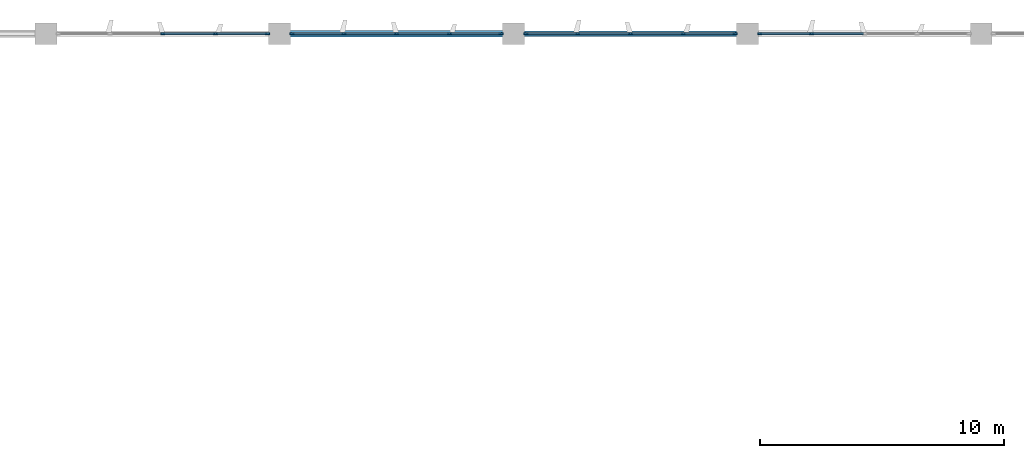
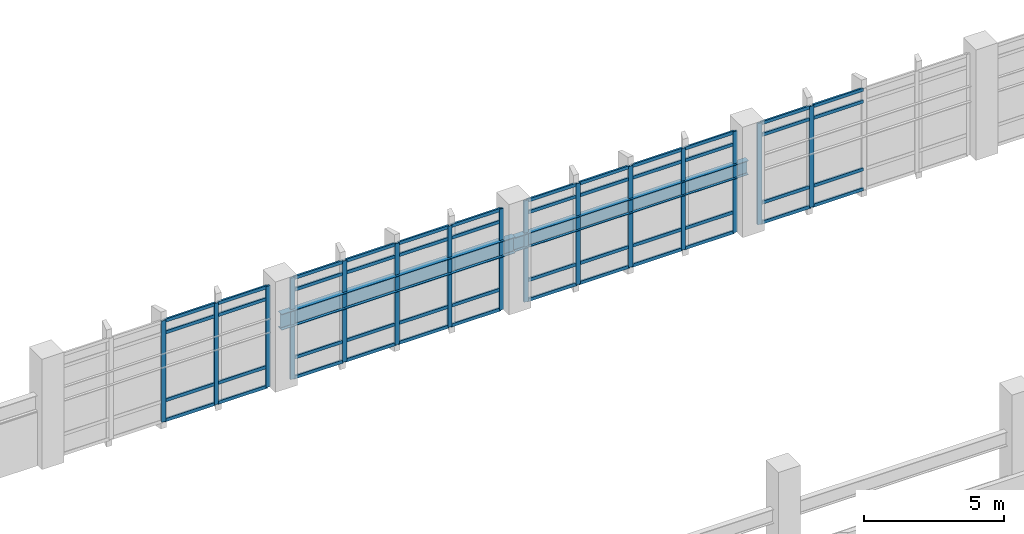
# One storey, part 26 of 86: 63 members, 2 beams, 4 elements without a shape of their own.
"""IFC4 building model written with IfcOpenShell, lengths in metres."""

import ifcopenshell
import ifcopenshell.guid

model = None  # the IFC model being written
_history = None  # IfcOwnerHistory: only IFC2X3 demands one
_inside = {}  # id of a spatial element -> (the spatial element, [elements in it])
_under = {}  # id of a project, library or spatial element -> (it, [spatial elements below it])
_declared = {}  # id of a project -> (the project, [libraries it declares])
_typed = {}  # id of a type object -> (the type object, [elements of that type])
_made_of = {}  # id of a material, layer set ... -> (it, [elements and type objects made of it])


def new_model(schema):
    """Start an empty IFC model of exactly this schema.

    Asked for "IFC4X3", IfcOpenShell would pick the latest addendum, in which some entities
    have other attributes; the version numbers below select the first issue.
    IFC2X3 requires an IfcOwnerHistory on every rooted entity: one is made here for all.
    """
    global model, _history
    if schema == "IFC4X3":
        model = ifcopenshell.file(schema_version=(4, 3, 0, 0))
    else:
        model = ifcopenshell.file(schema=schema)
    _inside.clear()
    _under.clear()
    _declared.clear()
    _typed.clear()
    _made_of.clear()
    _history = None
    if model.schema == "IFC2X3":
        org = make("IfcOrganization", Name="unknown")
        user = make(
            "IfcPersonAndOrganization",
            ThePerson=make("IfcPerson", FamilyName="unknown"),
            TheOrganization=org,
        )
        app = make(
            "IfcApplication",
            ApplicationDeveloper=org,
            Version="unknown",
            ApplicationFullName="unknown",
            ApplicationIdentifier="unknown",
        )
        _history = make(
            "IfcOwnerHistory",
            OwningUser=user,
            OwningApplication=app,
            ChangeAction="ADDED",
            CreationDate=0,
        )
    return model


def make(cls, **values):
    """One entity of the class cls with the attributes given. An attribute that is None is left unset."""
    return model.create_entity(
        cls, **{name: value for name, value in values.items() if value is not None}
    )


def rooted(cls, **values):
    """An entity with a GlobalId (a new one), such as an element, a storey or a relation."""
    return make(cls, GlobalId=ifcopenshell.guid.new(), OwnerHistory=_history, **values)


def si_unit(unit_type, name, prefix=None):
    """IfcSIUnit, for example si_unit("LENGTHUNIT", "METRE", prefix="MILLI")."""
    return make("IfcSIUnit", UnitType=unit_type, Prefix=prefix, Name=name)


def assignment(units):
    """IfcUnitAssignment: the units of a project."""
    return None if units is None else make("IfcUnitAssignment", Units=units)


def point(xyz):
    """IfcCartesianPoint."""
    return None if xyz is None else make("IfcCartesianPoint", Coordinates=xyz)


def direction(xyz):
    """IfcDirection."""
    return None if xyz is None else make("IfcDirection", DirectionRatios=xyz)


def frame(location, z_axis=None, x_axis=None):
    """IfcAxis2Placement3D, a coordinate frame: its origin and axes. An axis left out is left unset."""
    return make(
        "IfcAxis2Placement3D",
        Location=point(location),
        Axis=direction(z_axis),
        RefDirection=direction(x_axis),
    )


def frame_2d(location, x_axis=None):
    """IfcAxis2Placement2D, a coordinate frame in the plane: its origin and x axis."""
    return make(
        "IfcAxis2Placement2D", Location=point(location), RefDirection=direction(x_axis)
    )


def origin():
    """The frame at (0, 0, 0) with its axes left unset."""
    return frame((0.0, 0.0, 0.0))


def origin_2d():
    """The frame at (0, 0) in the plane with its x axis left unset."""
    return frame_2d((0.0, 0.0))


def place(relative_to, where):
    """IfcLocalPlacement: puts the frame where relative to a parent placement (None: the world)."""
    return make(
        "IfcLocalPlacement", PlacementRelTo=relative_to, RelativePlacement=where
    )


def context(
    kind, dimensions, precision=None, world=None, true_north=None, identifier=None
):
    """IfcGeometricRepresentationContext, for example the 3D "Model" context."""
    return make(
        "IfcGeometricRepresentationContext",
        ContextIdentifier=identifier,
        ContextType=kind,
        CoordinateSpaceDimension=dimensions,
        Precision=precision,
        WorldCoordinateSystem=world,
        TrueNorth=true_north,
    )


def subcontext(parent, identifier, kind, view, scale=None):
    """IfcGeometricRepresentationSubContext, for example "Body" below "Model"."""
    return make(
        "IfcGeometricRepresentationSubContext",
        ContextIdentifier=identifier,
        ContextType=kind,
        ParentContext=parent,
        TargetScale=scale,
        TargetView=view,
    )


def project(units=None, contexts=None):
    """IfcProject with its units and contexts."""
    return rooted(
        "IfcProject",
        Name="project",
        RepresentationContexts=contexts,
        UnitsInContext=assignment(units),
    )


def spatial(cls, under=None, at=None, **own):
    """A site, building, storey or space (cls), placed at a placement, below another one or the project."""
    s = rooted(cls, ObjectPlacement=at, **own)
    if under is not None:
        _under.setdefault(under.id(), (under, []))[1].append(s)
    return s


def profile(cls, at=None, kind="AREA", **sizes):
    """A parametric profile (cls). Its sizes go by their IFC names, for example OverallWidth=200.0."""
    return make(cls, ProfileType=kind, Position=at, **sizes)


def rectangle(**sizes):
    """IfcRectangleProfileDef."""
    return profile("IfcRectangleProfileDef", **sizes)


def i_section(**sizes):
    """IfcIShapeProfileDef."""
    return profile("IfcIShapeProfileDef", **sizes)


def extrude(swept, where, along, depth):
    """IfcExtrudedAreaSolid: the profile swept, set in the frame where, extruded along a direction by depth."""
    return make(
        "IfcExtrudedAreaSolid",
        SweptArea=swept,
        Position=where,
        ExtrudedDirection=direction(along),
        Depth=depth,
    )


def shape(context_of_items, identifier, shape_type, items):
    """IfcShapeRepresentation: the items that make up one representation, for example the "Body"."""
    return make(
        "IfcShapeRepresentation",
        ContextOfItems=context_of_items,
        RepresentationIdentifier=identifier,
        RepresentationType=shape_type,
        Items=items,
    )


def material(Name=None, Category=None):
    """IfcMaterial."""
    return make("IfcMaterial", Name=Name, Category=Category)


def layer(
    of_material, thickness, ventilated=None, Name=None, Category=None, Priority=None
):
    """IfcMaterialLayer: one layer of a wall or slab, of a material (None: an air gap)."""
    return make(
        "IfcMaterialLayer",
        Material=of_material,
        LayerThickness=thickness,
        IsVentilated=ventilated,
        Name=Name,
        Category=Category,
        Priority=Priority,
    )


def layer_set(layers, Name=None):
    """IfcMaterialLayerSet."""
    return make("IfcMaterialLayerSet", MaterialLayers=layers, LayerSetName=Name)


def material_profile(
    of_material, cross_section, Name=None, Category=None, Priority=None
):
    """IfcMaterialProfile: a cross section and its material."""
    return make(
        "IfcMaterialProfile",
        Name=Name,
        Material=of_material,
        Profile=cross_section,
        Priority=Priority,
        Category=Category,
    )


def profile_set(profiles, Name=None, composite=None):
    """IfcMaterialProfileSet."""
    return make(
        "IfcMaterialProfileSet",
        Name=Name,
        MaterialProfiles=profiles,
        CompositeProfile=composite,
    )


def made_of(thing, what):
    """Note that an element or type object is made of a material, layer set ...; save() writes the relation."""
    if what is not None:
        _made_of.setdefault(what.id(), (what, []))[1].append(thing)
    return thing


def type_object(cls, material=None, **own):
    """A type object (cls), such as IfcWallType, which elements share."""
    return made_of(rooted(cls, **own), material)


def element(
    cls,
    number,
    at=None,
    inside=None,
    cuts=None,
    type_object=None,
    material=None,
    context=None,
    identifier="Body",
    shape_type=None,
    held_by="IfcProductDefinitionShape",
    body=None,
    shapes=None,
    **own,
):
    """One element of the class cls, such as IfcWall. Its Tag is "e" and its number.

    at: its placement. inside: the storey or other place that contains it. cuts: it is an
    opening in that element (IfcRelVoidsElement). A single representation is given by context,
    identifier, shape_type and body (its items); several are given by shapes. held_by: the class
    of the entity that holds the representations. save() writes the other relations.
    """
    e = rooted(cls, Tag="e%d" % number, ObjectPlacement=at, **own)
    if body is not None:
        shapes = [shape(context, identifier, shape_type, body)]
    if shapes is not None:
        e.Representation = make(held_by, Representations=shapes)
    if inside is not None:
        _inside.setdefault(inside.id(), (inside, []))[1].append(e)
    if cuts is not None:
        rooted(
            "IfcRelVoidsElement", RelatingBuildingElement=cuts, RelatedOpeningElement=e
        )
    if type_object is not None:
        _typed.setdefault(type_object.id(), (type_object, []))[1].append(e)
    return made_of(e, material)


def aggregate(whole, parts):
    """IfcRelAggregates: a whole, such as a stair, and the parts it consists of."""
    return rooted("IfcRelAggregates", RelatingObject=whole, RelatedObjects=parts)


def save(model, path):
    """Write the relations noted so far, then the file.

    IfcRelAggregates (storeys below a building ...), IfcRelContainedInSpatialStructure (elements
    in a storey), IfcRelDefinesByType, IfcRelAssociatesMaterial and IfcRelDeclares: one each for
    every whole, place, type object, material and project.
    """
    for whole, parts in _under.values():
        aggregate(whole, parts)
    for where, things in _inside.values():
        rooted(
            "IfcRelContainedInSpatialStructure",
            RelatedElements=things,
            RelatingStructure=where,
        )
    for kind, things in _typed.values():
        rooted("IfcRelDefinesByType", RelatedObjects=things, RelatingType=kind)
    for what, things in _made_of.values():
        rooted("IfcRelAssociatesMaterial", RelatedObjects=things, RelatingMaterial=what)
    for by, libraries in _declared.values():
        rooted("IfcRelDeclares", RelatingContext=by, RelatedDefinitions=libraries)
    model.write(path)


model = new_model("IFC4")

# Units and contexts
model_context = context("Model", 3, precision=1e-05, world=origin(), true_north=direction((0.0, 1.0)))
body_context = subcontext(model_context, "Body", "Model", "MODEL_VIEW")
ifc_project = project(units=[si_unit("LENGTHUNIT", "METRE"), si_unit("AREAUNIT", "SQUARE_METRE"), si_unit("VOLUMEUNIT", "CUBIC_METRE"), si_unit("PLANEANGLEUNIT", "RADIAN"), si_unit("MASSUNIT", "GRAM", prefix="KILO")], contexts=[model_context])

# Site, building, storey
site_placement = place(None, origin())
site = spatial("IfcSite", under=ifc_project, at=site_placement, CompositionType="ELEMENT")
building_placement = place(site_placement, origin())
building = spatial("IfcBuilding", under=site, at=building_placement, Name="Kolvemor Railside Polytechnic", CompositionType="ELEMENT")
storey_placement = place(building_placement, frame((0.0, 0.0, 5.39990234375)))
storey = spatial("IfcBuildingStorey", under=building, at=storey_placement, Name="L01", CompositionType="ELEMENT", Elevation=5.39990234375)

# Beams
ifc_material_1 = material(Name="Steel S355", Category="steel")
ifc_material_profile_1 = material_profile(ifc_material_1, i_section(OverallWidth=0.256103515625, OverallDepth=0.693115234375, WebThickness=0.014404296875, FlangeThickness=0.023681640625, FilletRadius=0.01611328125, at=origin_2d()), Name="W690x170")
ifc_profile_set_1 = profile_set([ifc_material_profile_1], Name="Steel S355")
beam_type_1 = type_object("IfcBeamType", Name="BM-ST-CRANE0", PredefinedType="BEAM", material=ifc_profile_set_1)
beam_1_placement = place(storey_placement, frame((38.39990234375, 120.0, 2.691650390625), z_axis=(1.0, 0.0, 0.0), x_axis=(0.0, 1.0, 0.0)))
element("IfcBeam", 1, at=beam_1_placement, inside=storey, type_object=beam_type_1, Name="Crane Runway Girder CRG-N03", PredefinedType="BEAM", context=body_context, shape_type="SweptSolid", body=[
    extrude(i_section(OverallWidth=0.256103515625, OverallDepth=0.693115234375, WebThickness=0.014404296875, FlangeThickness=0.023681640625, FilletRadius=0.01611328125, at=origin_2d()), origin(), (0.0, 0.0, 1.0), 9.60009765625),
])
ifc_material_2 = material(Name="Steel S355", Category="steel")
ifc_material_profile_2 = material_profile(ifc_material_2, i_section(OverallWidth=0.22998046875, OverallDepth=0.616943359375, WebThickness=0.01318359375, FlangeThickness=0.022216796875, FilletRadius=0.01611328125, at=origin_2d()), Name="W610x140")
ifc_profile_set_2 = profile_set([ifc_material_profile_2], Name="Steel S355")
beam_type_2 = type_object("IfcBeamType", Name="BM-ST-CRANE1", PredefinedType="BEAM", material=ifc_profile_set_2)
beam_2_placement = place(storey_placement, frame((48.0, 120.0, 2.691650390625), z_axis=(1.0, 0.0, 0.0), x_axis=(0.0, 1.0, 0.0)))
element("IfcBeam", 2, at=beam_2_placement, inside=storey, type_object=beam_type_2, Name="Crane Runway Girder CRG-N04", PredefinedType="BEAM", context=body_context, shape_type="SweptSolid", body=[
    extrude(i_section(OverallWidth=0.22998046875, OverallDepth=0.616943359375, WebThickness=0.01318359375, FlangeThickness=0.022216796875, FilletRadius=0.01611328125, at=origin_2d()), origin(), (0.0, 0.0, 1.0), 9.60009765625),
])

# Curtain wall, members
ifc_material_3 = material(Name="Anodised marine aluminium and laminated low-E glass", Category="aluminium")
ifc_layer = layer(ifc_material_3, 0.179931640625, Name="CW-UNIT-WKS")
ifc_layer_set = layer_set([ifc_layer], Name="Anodised marine aluminium and laminated low-E glass")
curtain_wall_type = type_object("IfcCurtainWallType", Name="CW-UNIT-WKS", PredefinedType="USERDEFINED", material=ifc_layer_set)
curtain_wall_1_placement = place(storey_placement, origin())
curtain_wall_1 = element("IfcCurtainWall", 3, at=curtain_wall_1_placement, inside=storey, type_object=curtain_wall_type, Name="Curtain Wall L01-002", ObjectType="UNITISED CURTAIN WALL", PredefinedType="USERDEFINED")
ifc_material_4 = material(Name="Anodised marine aluminium 6063-T6", Category="aluminium")
ifc_material_profile_3 = material_profile(ifc_material_4, rectangle(XDim=0.074951171875, YDim=0.179931640625, at=origin_2d()), Name="CW-MUL-75x180")
ifc_profile_set_3 = profile_set([ifc_material_profile_3], Name="Anodised marine aluminium 6063-T6")
member_type_1 = type_object("IfcMemberType", Name="CWM-75x180", PredefinedType="MULLION", material=ifc_profile_set_3)
member_1_placement = place(storey_placement, frame((37.892578125, 120.0, 0.0), z_axis=(0.0, 0.0, 1.0), x_axis=(0.0, -1.0, 0.0)))
member_1 = element("IfcMember", 4, at=member_1_placement, type_object=member_type_1, Name="CW-WKS mullion 1", PredefinedType="MULLION", context=body_context, shape_type="SweptSolid", body=[
    extrude(rectangle(XDim=0.074951171875, YDim=0.179931640625, at=origin_2d()), origin(), (0.0, 0.0, 1.0), 4.400146484375),
])
member_2_placement = place(storey_placement, frame((35.764892578125, 120.0, 0.0), z_axis=(0.0, 0.0, 1.0), x_axis=(0.0, -1.0, 0.0)))
member_2 = element("IfcMember", 5, at=member_2_placement, type_object=member_type_1, Name="CW-WKS mullion 2", PredefinedType="MULLION", context=body_context, shape_type="SweptSolid", body=[
    extrude(rectangle(XDim=0.074951171875, YDim=0.179931640625, at=origin_2d()), origin(), (0.0, 0.0, 1.0), 4.400146484375),
])
member_3_placement = place(storey_placement, frame((33.60009765625, 120.0, 0.0), z_axis=(0.0, 0.0, 1.0), x_axis=(0.0, -1.0, 0.0)))
member_3 = element("IfcMember", 6, at=member_3_placement, type_object=member_type_1, Name="CW-WKS mullion 3", PredefinedType="MULLION", context=body_context, shape_type="SweptSolid", body=[
    extrude(rectangle(XDim=0.074951171875, YDim=0.179931640625, at=origin_2d()), origin(), (0.0, 0.0, 1.0), 4.400146484375),
])

curtain_wall_2_placement = place(storey_placement, origin())
curtain_wall_2 = element("IfcCurtainWall", 7, at=curtain_wall_2_placement, inside=storey, type_object=curtain_wall_type, Name="Curtain Wall L01-003", ObjectType="UNITISED CURTAIN WALL", PredefinedType="USERDEFINED")
member_4_placement = place(storey_placement, frame((47.492431640625, 120.0, 0.0), z_axis=(0.0, 0.0, 1.0), x_axis=(0.0, -1.0, 0.0)))
member_4 = element("IfcMember", 8, at=member_4_placement, type_object=member_type_1, Name="CW-WKS mullion 1", PredefinedType="MULLION", context=body_context, shape_type="SweptSolid", body=[
    extrude(rectangle(XDim=0.074951171875, YDim=0.179931640625, at=origin_2d()), origin(), (0.0, 0.0, 1.0), 4.400146484375),
])
member_5_placement = place(storey_placement, frame((45.364990234375, 120.0, 0.0), z_axis=(0.0, 0.0, 1.0), x_axis=(0.0, -1.0, 0.0)))
member_5 = element("IfcMember", 9, at=member_5_placement, type_object=member_type_1, Name="CW-WKS mullion 2", PredefinedType="MULLION", context=body_context, shape_type="SweptSolid", body=[
    extrude(rectangle(XDim=0.074951171875, YDim=0.179931640625, at=origin_2d()), origin(), (0.0, 0.0, 1.0), 4.400146484375),
])
member_6_placement = place(storey_placement, frame((43.199951171875, 120.0, 0.0), z_axis=(0.0, 0.0, 1.0), x_axis=(0.0, -1.0, 0.0)))
member_6 = element("IfcMember", 10, at=member_6_placement, type_object=member_type_1, Name="CW-WKS mullion 3", PredefinedType="MULLION", context=body_context, shape_type="SweptSolid", body=[
    extrude(rectangle(XDim=0.074951171875, YDim=0.179931640625, at=origin_2d()), origin(), (0.0, 0.0, 1.0), 4.400146484375),
])
member_7_placement = place(storey_placement, frame((41.034912109375, 120.0, 0.0), z_axis=(0.0, 0.0, 1.0), x_axis=(0.0, -1.0, 0.0)))
member_7 = element("IfcMember", 11, at=member_7_placement, type_object=member_type_1, Name="CW-WKS mullion 4", PredefinedType="MULLION", context=body_context, shape_type="SweptSolid", body=[
    extrude(rectangle(XDim=0.074951171875, YDim=0.179931640625, at=origin_2d()), origin(), (0.0, 0.0, 1.0), 4.400146484375),
])
member_8_placement = place(storey_placement, frame((38.907470703125, 120.0, 0.0), z_axis=(0.0, 0.0, 1.0), x_axis=(0.0, -1.0, 0.0)))
member_8 = element("IfcMember", 12, at=member_8_placement, type_object=member_type_1, Name="CW-WKS mullion 5", PredefinedType="MULLION", context=body_context, shape_type="SweptSolid", body=[
    extrude(rectangle(XDim=0.074951171875, YDim=0.179931640625, at=origin_2d()), origin(), (0.0, 0.0, 1.0), 4.400146484375),
])

curtain_wall_3_placement = place(storey_placement, origin())
curtain_wall_3 = element("IfcCurtainWall", 13, at=curtain_wall_3_placement, inside=storey, type_object=curtain_wall_type, Name="Curtain Wall L01-005", ObjectType="UNITISED CURTAIN WALL", PredefinedType="USERDEFINED")
member_9_placement = place(storey_placement, frame((57.092529296875, 120.0, 0.0), z_axis=(0.0, 0.0, 1.0), x_axis=(0.0, -1.0, 0.0)))
member_9 = element("IfcMember", 14, at=member_9_placement, type_object=member_type_1, Name="CW-WKS mullion 1", PredefinedType="MULLION", context=body_context, shape_type="SweptSolid", body=[
    extrude(rectangle(XDim=0.074951171875, YDim=0.179931640625, at=origin_2d()), origin(), (0.0, 0.0, 1.0), 4.400146484375),
])
member_10_placement = place(storey_placement, frame((54.965087890625, 120.0, 0.0), z_axis=(0.0, 0.0, 1.0), x_axis=(0.0, -1.0, 0.0)))
member_10 = element("IfcMember", 15, at=member_10_placement, type_object=member_type_1, Name="CW-WKS mullion 2", PredefinedType="MULLION", context=body_context, shape_type="SweptSolid", body=[
    extrude(rectangle(XDim=0.074951171875, YDim=0.179931640625, at=origin_2d()), origin(), (0.0, 0.0, 1.0), 4.400146484375),
])
member_11_placement = place(storey_placement, frame((52.800048828125, 120.0, 0.0), z_axis=(0.0, 0.0, 1.0), x_axis=(0.0, -1.0, 0.0)))
member_11 = element("IfcMember", 16, at=member_11_placement, type_object=member_type_1, Name="CW-WKS mullion 3", PredefinedType="MULLION", context=body_context, shape_type="SweptSolid", body=[
    extrude(rectangle(XDim=0.074951171875, YDim=0.179931640625, at=origin_2d()), origin(), (0.0, 0.0, 1.0), 4.400146484375),
])
member_12_placement = place(storey_placement, frame((50.635009765625, 120.0, 0.0), z_axis=(0.0, 0.0, 1.0), x_axis=(0.0, -1.0, 0.0)))
member_12 = element("IfcMember", 17, at=member_12_placement, type_object=member_type_1, Name="CW-WKS mullion 4", PredefinedType="MULLION", context=body_context, shape_type="SweptSolid", body=[
    extrude(rectangle(XDim=0.074951171875, YDim=0.179931640625, at=origin_2d()), origin(), (0.0, 0.0, 1.0), 4.400146484375),
])
member_13_placement = place(storey_placement, frame((48.507568359375, 120.0, 0.0), z_axis=(0.0, 0.0, 1.0), x_axis=(0.0, -1.0, 0.0)))
member_13 = element("IfcMember", 18, at=member_13_placement, type_object=member_type_1, Name="CW-WKS mullion 5", PredefinedType="MULLION", context=body_context, shape_type="SweptSolid", body=[
    extrude(rectangle(XDim=0.074951171875, YDim=0.179931640625, at=origin_2d()), origin(), (0.0, 0.0, 1.0), 4.400146484375),
])

curtain_wall_4_placement = place(storey_placement, origin())
curtain_wall_4 = element("IfcCurtainWall", 19, at=curtain_wall_4_placement, inside=storey, type_object=curtain_wall_type, Name="Curtain Wall L01-008", ObjectType="UNITISED CURTAIN WALL", PredefinedType="USERDEFINED")
member_14_placement = place(storey_placement, frame((60.235107421875, 120.0, 0.0), z_axis=(0.0, 0.0, 1.0), x_axis=(0.0, -1.0, 0.0)))
member_14 = element("IfcMember", 20, at=member_14_placement, type_object=member_type_1, Name="CW-WKS mullion 4", PredefinedType="MULLION", context=body_context, shape_type="SweptSolid", body=[
    extrude(rectangle(XDim=0.074951171875, YDim=0.179931640625, at=origin_2d()), origin(), (0.0, 0.0, 1.0), 4.400146484375),
])
member_15_placement = place(storey_placement, frame((58.107421875, 120.0, 0.0), z_axis=(0.0, 0.0, 1.0), x_axis=(0.0, -1.0, 0.0)))
member_15 = element("IfcMember", 21, at=member_15_placement, type_object=member_type_1, Name="CW-WKS mullion 5", PredefinedType="MULLION", context=body_context, shape_type="SweptSolid", body=[
    extrude(rectangle(XDim=0.074951171875, YDim=0.179931640625, at=origin_2d()), origin(), (0.0, 0.0, 1.0), 4.400146484375),
])

# Member
ifc_material_5 = material(Name="Anodised marine aluminium 6063-T6", Category="aluminium")
ifc_material_profile_4 = material_profile(ifc_material_5, rectangle(XDim=0.074951171875, YDim=0.139892578125, at=origin_2d()), Name="CW-TRN-75x140")
ifc_profile_set_4 = profile_set([ifc_material_profile_4], Name="Anodised marine aluminium 6063-T6")
member_type_2 = type_object("IfcMemberType", Name="CWT-75x140", PredefinedType="USERDEFINED", material=ifc_profile_set_4)
member_16_placement = place(storey_placement, frame((37.85498046875, 120.0, 0.03759765625), z_axis=(-1.0, 0.0, 0.0), x_axis=(0.0, -1.0, 0.0)))
member_16 = element("IfcMember", 22, at=member_16_placement, type_object=member_type_2, Name="CW-WKS transom 1.1", ObjectType="TRANSOM", PredefinedType="USERDEFINED", context=body_context, shape_type="SweptSolid", body=[
    extrude(rectangle(XDim=0.074951171875, YDim=0.139892578125, at=origin_2d()), origin(), (0.0, 0.0, 1.0), 2.052490234375),
])

member_17_placement = place(storey_placement, frame((37.85498046875, 120.0, 0.900146484375), z_axis=(-1.0, 0.0, 0.0), x_axis=(0.0, -1.0, 0.0)))
member_17 = element("IfcMember", 23, at=member_17_placement, type_object=member_type_2, Name="CW-WKS transom 1.2", ObjectType="TRANSOM", PredefinedType="USERDEFINED", context=body_context, shape_type="SweptSolid", body=[
    extrude(rectangle(XDim=0.074951171875, YDim=0.139892578125, at=origin_2d()), origin(), (0.0, 0.0, 1.0), 2.052490234375),
])

member_18_placement = place(storey_placement, frame((37.85498046875, 120.0, 3.85009765625), z_axis=(-1.0, 0.0, 0.0), x_axis=(0.0, -1.0, 0.0)))
member_18 = element("IfcMember", 24, at=member_18_placement, type_object=member_type_2, Name="CW-WKS transom 1.3", ObjectType="TRANSOM", PredefinedType="USERDEFINED", context=body_context, shape_type="SweptSolid", body=[
    extrude(rectangle(XDim=0.074951171875, YDim=0.139892578125, at=origin_2d()), origin(), (0.0, 0.0, 1.0), 2.052490234375),
])

member_19_placement = place(storey_placement, frame((37.85498046875, 120.0, 4.362548828125), z_axis=(-1.0, 0.0, 0.0), x_axis=(0.0, -1.0, 0.0)))
member_19 = element("IfcMember", 25, at=member_19_placement, type_object=member_type_2, Name="CW-WKS transom 1.4", ObjectType="TRANSOM", PredefinedType="USERDEFINED", context=body_context, shape_type="SweptSolid", body=[
    extrude(rectangle(XDim=0.074951171875, YDim=0.139892578125, at=origin_2d()), origin(), (0.0, 0.0, 1.0), 2.052490234375),
])

member_20_placement = place(storey_placement, frame((35.7275390625, 120.0, 0.03759765625), z_axis=(-1.0, 0.0, 0.0), x_axis=(0.0, -1.0, 0.0)))
member_20 = element("IfcMember", 26, at=member_20_placement, type_object=member_type_2, Name="CW-WKS transom 2.1", ObjectType="TRANSOM", PredefinedType="USERDEFINED", context=body_context, shape_type="SweptSolid", body=[
    extrude(rectangle(XDim=0.074951171875, YDim=0.139892578125, at=origin_2d()), origin(), (0.0, 0.0, 1.0), 2.090087890625),
])

member_21_placement = place(storey_placement, frame((35.7275390625, 120.0, 0.900146484375), z_axis=(-1.0, 0.0, 0.0), x_axis=(0.0, -1.0, 0.0)))
member_21 = element("IfcMember", 27, at=member_21_placement, type_object=member_type_2, Name="CW-WKS transom 2.2", ObjectType="TRANSOM", PredefinedType="USERDEFINED", context=body_context, shape_type="SweptSolid", body=[
    extrude(rectangle(XDim=0.074951171875, YDim=0.139892578125, at=origin_2d()), origin(), (0.0, 0.0, 1.0), 2.090087890625),
])

member_22_placement = place(storey_placement, frame((35.7275390625, 120.0, 3.85009765625), z_axis=(-1.0, 0.0, 0.0), x_axis=(0.0, -1.0, 0.0)))
member_22 = element("IfcMember", 28, at=member_22_placement, type_object=member_type_2, Name="CW-WKS transom 2.3", ObjectType="TRANSOM", PredefinedType="USERDEFINED", context=body_context, shape_type="SweptSolid", body=[
    extrude(rectangle(XDim=0.074951171875, YDim=0.139892578125, at=origin_2d()), origin(), (0.0, 0.0, 1.0), 2.090087890625),
])

member_23_placement = place(storey_placement, frame((35.7275390625, 120.0, 4.362548828125), z_axis=(-1.0, 0.0, 0.0), x_axis=(0.0, -1.0, 0.0)))
member_23 = element("IfcMember", 29, at=member_23_placement, type_object=member_type_2, Name="CW-WKS transom 2.4", ObjectType="TRANSOM", PredefinedType="USERDEFINED", context=body_context, shape_type="SweptSolid", body=[
    extrude(rectangle(XDim=0.074951171875, YDim=0.139892578125, at=origin_2d()), origin(), (0.0, 0.0, 1.0), 2.090087890625),
])

aggregate(curtain_wall_1, [member_1, member_2, member_3, member_16, member_17, member_18, member_19, member_20, member_21, member_22, member_23])

member_24_placement = place(storey_placement, frame((47.455078125, 120.0, 0.03759765625), z_axis=(-1.0, 0.0, 0.0), x_axis=(0.0, -1.0, 0.0)))
member_24 = element("IfcMember", 30, at=member_24_placement, type_object=member_type_2, Name="CW-WKS transom 1.1", ObjectType="TRANSOM", PredefinedType="USERDEFINED", context=body_context, shape_type="SweptSolid", body=[
    extrude(rectangle(XDim=0.074951171875, YDim=0.139892578125, at=origin_2d()), origin(), (0.0, 0.0, 1.0), 2.052490234375),
])

member_25_placement = place(storey_placement, frame((47.455078125, 120.0, 0.900146484375), z_axis=(-1.0, 0.0, 0.0), x_axis=(0.0, -1.0, 0.0)))
member_25 = element("IfcMember", 31, at=member_25_placement, type_object=member_type_2, Name="CW-WKS transom 1.2", ObjectType="TRANSOM", PredefinedType="USERDEFINED", context=body_context, shape_type="SweptSolid", body=[
    extrude(rectangle(XDim=0.074951171875, YDim=0.139892578125, at=origin_2d()), origin(), (0.0, 0.0, 1.0), 2.052490234375),
])

member_26_placement = place(storey_placement, frame((47.455078125, 120.0, 3.85009765625), z_axis=(-1.0, 0.0, 0.0), x_axis=(0.0, -1.0, 0.0)))
member_26 = element("IfcMember", 32, at=member_26_placement, type_object=member_type_2, Name="CW-WKS transom 1.3", ObjectType="TRANSOM", PredefinedType="USERDEFINED", context=body_context, shape_type="SweptSolid", body=[
    extrude(rectangle(XDim=0.074951171875, YDim=0.139892578125, at=origin_2d()), origin(), (0.0, 0.0, 1.0), 2.052490234375),
])

member_27_placement = place(storey_placement, frame((47.455078125, 120.0, 4.362548828125), z_axis=(-1.0, 0.0, 0.0), x_axis=(0.0, -1.0, 0.0)))
member_27 = element("IfcMember", 33, at=member_27_placement, type_object=member_type_2, Name="CW-WKS transom 1.4", ObjectType="TRANSOM", PredefinedType="USERDEFINED", context=body_context, shape_type="SweptSolid", body=[
    extrude(rectangle(XDim=0.074951171875, YDim=0.139892578125, at=origin_2d()), origin(), (0.0, 0.0, 1.0), 2.052490234375),
])

member_28_placement = place(storey_placement, frame((45.327392578125, 120.0, 0.03759765625), z_axis=(-1.0, 0.0, 0.0), x_axis=(0.0, -1.0, 0.0)))
member_28 = element("IfcMember", 34, at=member_28_placement, type_object=member_type_2, Name="CW-WKS transom 2.1", ObjectType="TRANSOM", PredefinedType="USERDEFINED", context=body_context, shape_type="SweptSolid", body=[
    extrude(rectangle(XDim=0.074951171875, YDim=0.139892578125, at=origin_2d()), origin(), (0.0, 0.0, 1.0), 2.08984375),
])

member_29_placement = place(storey_placement, frame((45.327392578125, 120.0, 0.900146484375), z_axis=(-1.0, 0.0, 0.0), x_axis=(0.0, -1.0, 0.0)))
member_29 = element("IfcMember", 35, at=member_29_placement, type_object=member_type_2, Name="CW-WKS transom 2.2", ObjectType="TRANSOM", PredefinedType="USERDEFINED", context=body_context, shape_type="SweptSolid", body=[
    extrude(rectangle(XDim=0.074951171875, YDim=0.139892578125, at=origin_2d()), origin(), (0.0, 0.0, 1.0), 2.08984375),
])

member_30_placement = place(storey_placement, frame((45.327392578125, 120.0, 3.85009765625), z_axis=(-1.0, 0.0, 0.0), x_axis=(0.0, -1.0, 0.0)))
member_30 = element("IfcMember", 36, at=member_30_placement, type_object=member_type_2, Name="CW-WKS transom 2.3", ObjectType="TRANSOM", PredefinedType="USERDEFINED", context=body_context, shape_type="SweptSolid", body=[
    extrude(rectangle(XDim=0.074951171875, YDim=0.139892578125, at=origin_2d()), origin(), (0.0, 0.0, 1.0), 2.08984375),
])

member_31_placement = place(storey_placement, frame((45.327392578125, 120.0, 4.362548828125), z_axis=(-1.0, 0.0, 0.0), x_axis=(0.0, -1.0, 0.0)))
member_31 = element("IfcMember", 37, at=member_31_placement, type_object=member_type_2, Name="CW-WKS transom 2.4", ObjectType="TRANSOM", PredefinedType="USERDEFINED", context=body_context, shape_type="SweptSolid", body=[
    extrude(rectangle(XDim=0.074951171875, YDim=0.139892578125, at=origin_2d()), origin(), (0.0, 0.0, 1.0), 2.08984375),
])

member_32_placement = place(storey_placement, frame((43.16259765625, 120.0, 0.03759765625), z_axis=(-1.0, 0.0, 0.0), x_axis=(0.0, -1.0, 0.0)))
member_32 = element("IfcMember", 38, at=member_32_placement, type_object=member_type_2, Name="CW-WKS transom 3.1", ObjectType="TRANSOM", PredefinedType="USERDEFINED", context=body_context, shape_type="SweptSolid", body=[
    extrude(rectangle(XDim=0.074951171875, YDim=0.139892578125, at=origin_2d()), origin(), (0.0, 0.0, 1.0), 2.090087890625),
])

member_33_placement = place(storey_placement, frame((43.16259765625, 120.0, 0.900146484375), z_axis=(-1.0, 0.0, 0.0), x_axis=(0.0, -1.0, 0.0)))
member_33 = element("IfcMember", 39, at=member_33_placement, type_object=member_type_2, Name="CW-WKS transom 3.2", ObjectType="TRANSOM", PredefinedType="USERDEFINED", context=body_context, shape_type="SweptSolid", body=[
    extrude(rectangle(XDim=0.074951171875, YDim=0.139892578125, at=origin_2d()), origin(), (0.0, 0.0, 1.0), 2.090087890625),
])

member_34_placement = place(storey_placement, frame((43.16259765625, 120.0, 3.85009765625), z_axis=(-1.0, 0.0, 0.0), x_axis=(0.0, -1.0, 0.0)))
member_34 = element("IfcMember", 40, at=member_34_placement, type_object=member_type_2, Name="CW-WKS transom 3.3", ObjectType="TRANSOM", PredefinedType="USERDEFINED", context=body_context, shape_type="SweptSolid", body=[
    extrude(rectangle(XDim=0.074951171875, YDim=0.139892578125, at=origin_2d()), origin(), (0.0, 0.0, 1.0), 2.090087890625),
])

member_35_placement = place(storey_placement, frame((43.16259765625, 120.0, 4.362548828125), z_axis=(-1.0, 0.0, 0.0), x_axis=(0.0, -1.0, 0.0)))
member_35 = element("IfcMember", 41, at=member_35_placement, type_object=member_type_2, Name="CW-WKS transom 3.4", ObjectType="TRANSOM", PredefinedType="USERDEFINED", context=body_context, shape_type="SweptSolid", body=[
    extrude(rectangle(XDim=0.074951171875, YDim=0.139892578125, at=origin_2d()), origin(), (0.0, 0.0, 1.0), 2.090087890625),
])

member_36_placement = place(storey_placement, frame((40.99755859375, 120.0, 0.03759765625), z_axis=(-1.0, 0.0, 0.0), x_axis=(0.0, -1.0, 0.0)))
member_36 = element("IfcMember", 42, at=member_36_placement, type_object=member_type_2, Name="CW-WKS transom 4.1", ObjectType="TRANSOM", PredefinedType="USERDEFINED", context=body_context, shape_type="SweptSolid", body=[
    extrude(rectangle(XDim=0.074951171875, YDim=0.139892578125, at=origin_2d()), origin(), (0.0, 0.0, 1.0), 2.052490234375),
])

member_37_placement = place(storey_placement, frame((40.99755859375, 120.0, 0.900146484375), z_axis=(-1.0, 0.0, 0.0), x_axis=(0.0, -1.0, 0.0)))
member_37 = element("IfcMember", 43, at=member_37_placement, type_object=member_type_2, Name="CW-WKS transom 4.2", ObjectType="TRANSOM", PredefinedType="USERDEFINED", context=body_context, shape_type="SweptSolid", body=[
    extrude(rectangle(XDim=0.074951171875, YDim=0.139892578125, at=origin_2d()), origin(), (0.0, 0.0, 1.0), 2.052490234375),
])

member_38_placement = place(storey_placement, frame((40.99755859375, 120.0, 3.85009765625), z_axis=(-1.0, 0.0, 0.0), x_axis=(0.0, -1.0, 0.0)))
member_38 = element("IfcMember", 44, at=member_38_placement, type_object=member_type_2, Name="CW-WKS transom 4.3", ObjectType="TRANSOM", PredefinedType="USERDEFINED", context=body_context, shape_type="SweptSolid", body=[
    extrude(rectangle(XDim=0.074951171875, YDim=0.139892578125, at=origin_2d()), origin(), (0.0, 0.0, 1.0), 2.052490234375),
])

member_39_placement = place(storey_placement, frame((40.99755859375, 120.0, 4.362548828125), z_axis=(-1.0, 0.0, 0.0), x_axis=(0.0, -1.0, 0.0)))
member_39 = element("IfcMember", 45, at=member_39_placement, type_object=member_type_2, Name="CW-WKS transom 4.4", ObjectType="TRANSOM", PredefinedType="USERDEFINED", context=body_context, shape_type="SweptSolid", body=[
    extrude(rectangle(XDim=0.074951171875, YDim=0.139892578125, at=origin_2d()), origin(), (0.0, 0.0, 1.0), 2.052490234375),
])

aggregate(curtain_wall_2, [member_4, member_5, member_6, member_7, member_8, member_24, member_25, member_26, member_27, member_28, member_29, member_30, member_31, member_32, member_33, member_34, member_35, member_36, member_37, member_38, member_39])

member_40_placement = place(storey_placement, frame((57.054931640625, 120.0, 0.03759765625), z_axis=(-1.0, 0.0, 0.0), x_axis=(0.0, -1.0, 0.0)))
member_40 = element("IfcMember", 46, at=member_40_placement, type_object=member_type_2, Name="CW-WKS transom 1.1", ObjectType="TRANSOM", PredefinedType="USERDEFINED", context=body_context, shape_type="SweptSolid", body=[
    extrude(rectangle(XDim=0.074951171875, YDim=0.139892578125, at=origin_2d()), origin(), (0.0, 0.0, 1.0), 2.052490234375),
])

member_41_placement = place(storey_placement, frame((57.054931640625, 120.0, 0.900146484375), z_axis=(-1.0, 0.0, 0.0), x_axis=(0.0, -1.0, 0.0)))
member_41 = element("IfcMember", 47, at=member_41_placement, type_object=member_type_2, Name="CW-WKS transom 1.2", ObjectType="TRANSOM", PredefinedType="USERDEFINED", context=body_context, shape_type="SweptSolid", body=[
    extrude(rectangle(XDim=0.074951171875, YDim=0.139892578125, at=origin_2d()), origin(), (0.0, 0.0, 1.0), 2.052490234375),
])

member_42_placement = place(storey_placement, frame((57.054931640625, 120.0, 3.85009765625), z_axis=(-1.0, 0.0, 0.0), x_axis=(0.0, -1.0, 0.0)))
member_42 = element("IfcMember", 48, at=member_42_placement, type_object=member_type_2, Name="CW-WKS transom 1.3", ObjectType="TRANSOM", PredefinedType="USERDEFINED", context=body_context, shape_type="SweptSolid", body=[
    extrude(rectangle(XDim=0.074951171875, YDim=0.139892578125, at=origin_2d()), origin(), (0.0, 0.0, 1.0), 2.052490234375),
])

member_43_placement = place(storey_placement, frame((57.054931640625, 120.0, 4.362548828125), z_axis=(-1.0, 0.0, 0.0), x_axis=(0.0, -1.0, 0.0)))
member_43 = element("IfcMember", 49, at=member_43_placement, type_object=member_type_2, Name="CW-WKS transom 1.4", ObjectType="TRANSOM", PredefinedType="USERDEFINED", context=body_context, shape_type="SweptSolid", body=[
    extrude(rectangle(XDim=0.074951171875, YDim=0.139892578125, at=origin_2d()), origin(), (0.0, 0.0, 1.0), 2.052490234375),
])

member_44_placement = place(storey_placement, frame((54.927490234375, 120.0, 0.03759765625), z_axis=(-1.0, 0.0, 0.0), x_axis=(0.0, -1.0, 0.0)))
member_44 = element("IfcMember", 50, at=member_44_placement, type_object=member_type_2, Name="CW-WKS transom 2.1", ObjectType="TRANSOM", PredefinedType="USERDEFINED", context=body_context, shape_type="SweptSolid", body=[
    extrude(rectangle(XDim=0.074951171875, YDim=0.139892578125, at=origin_2d()), origin(), (0.0, 0.0, 1.0), 2.090087890625),
])

member_45_placement = place(storey_placement, frame((54.927490234375, 120.0, 0.900146484375), z_axis=(-1.0, 0.0, 0.0), x_axis=(0.0, -1.0, 0.0)))
member_45 = element("IfcMember", 51, at=member_45_placement, type_object=member_type_2, Name="CW-WKS transom 2.2", ObjectType="TRANSOM", PredefinedType="USERDEFINED", context=body_context, shape_type="SweptSolid", body=[
    extrude(rectangle(XDim=0.074951171875, YDim=0.139892578125, at=origin_2d()), origin(), (0.0, 0.0, 1.0), 2.090087890625),
])

member_46_placement = place(storey_placement, frame((54.927490234375, 120.0, 3.85009765625), z_axis=(-1.0, 0.0, 0.0), x_axis=(0.0, -1.0, 0.0)))
member_46 = element("IfcMember", 52, at=member_46_placement, type_object=member_type_2, Name="CW-WKS transom 2.3", ObjectType="TRANSOM", PredefinedType="USERDEFINED", context=body_context, shape_type="SweptSolid", body=[
    extrude(rectangle(XDim=0.074951171875, YDim=0.139892578125, at=origin_2d()), origin(), (0.0, 0.0, 1.0), 2.090087890625),
])

member_47_placement = place(storey_placement, frame((54.927490234375, 120.0, 4.362548828125), z_axis=(-1.0, 0.0, 0.0), x_axis=(0.0, -1.0, 0.0)))
member_47 = element("IfcMember", 53, at=member_47_placement, type_object=member_type_2, Name="CW-WKS transom 2.4", ObjectType="TRANSOM", PredefinedType="USERDEFINED", context=body_context, shape_type="SweptSolid", body=[
    extrude(rectangle(XDim=0.074951171875, YDim=0.139892578125, at=origin_2d()), origin(), (0.0, 0.0, 1.0), 2.090087890625),
])

member_48_placement = place(storey_placement, frame((52.762451171875, 120.0, 0.03759765625), z_axis=(-1.0, 0.0, 0.0), x_axis=(0.0, -1.0, 0.0)))
member_48 = element("IfcMember", 54, at=member_48_placement, type_object=member_type_2, Name="CW-WKS transom 3.1", ObjectType="TRANSOM", PredefinedType="USERDEFINED", context=body_context, shape_type="SweptSolid", body=[
    extrude(rectangle(XDim=0.074951171875, YDim=0.139892578125, at=origin_2d()), origin(), (0.0, 0.0, 1.0), 2.08984375),
])

member_49_placement = place(storey_placement, frame((52.762451171875, 120.0, 0.900146484375), z_axis=(-1.0, 0.0, 0.0), x_axis=(0.0, -1.0, 0.0)))
member_49 = element("IfcMember", 55, at=member_49_placement, type_object=member_type_2, Name="CW-WKS transom 3.2", ObjectType="TRANSOM", PredefinedType="USERDEFINED", context=body_context, shape_type="SweptSolid", body=[
    extrude(rectangle(XDim=0.074951171875, YDim=0.139892578125, at=origin_2d()), origin(), (0.0, 0.0, 1.0), 2.08984375),
])

member_50_placement = place(storey_placement, frame((52.762451171875, 120.0, 3.85009765625), z_axis=(-1.0, 0.0, 0.0), x_axis=(0.0, -1.0, 0.0)))
member_50 = element("IfcMember", 56, at=member_50_placement, type_object=member_type_2, Name="CW-WKS transom 3.3", ObjectType="TRANSOM", PredefinedType="USERDEFINED", context=body_context, shape_type="SweptSolid", body=[
    extrude(rectangle(XDim=0.074951171875, YDim=0.139892578125, at=origin_2d()), origin(), (0.0, 0.0, 1.0), 2.08984375),
])

member_51_placement = place(storey_placement, frame((52.762451171875, 120.0, 4.362548828125), z_axis=(-1.0, 0.0, 0.0), x_axis=(0.0, -1.0, 0.0)))
member_51 = element("IfcMember", 57, at=member_51_placement, type_object=member_type_2, Name="CW-WKS transom 3.4", ObjectType="TRANSOM", PredefinedType="USERDEFINED", context=body_context, shape_type="SweptSolid", body=[
    extrude(rectangle(XDim=0.074951171875, YDim=0.139892578125, at=origin_2d()), origin(), (0.0, 0.0, 1.0), 2.08984375),
])

member_52_placement = place(storey_placement, frame((50.597412109375, 120.0, 0.03759765625), z_axis=(-1.0, 0.0, 0.0), x_axis=(0.0, -1.0, 0.0)))
member_52 = element("IfcMember", 58, at=member_52_placement, type_object=member_type_2, Name="CW-WKS transom 4.1", ObjectType="TRANSOM", PredefinedType="USERDEFINED", context=body_context, shape_type="SweptSolid", body=[
    extrude(rectangle(XDim=0.074951171875, YDim=0.139892578125, at=origin_2d()), origin(), (0.0, 0.0, 1.0), 2.052490234375),
])

member_53_placement = place(storey_placement, frame((50.597412109375, 120.0, 0.900146484375), z_axis=(-1.0, 0.0, 0.0), x_axis=(0.0, -1.0, 0.0)))
member_53 = element("IfcMember", 59, at=member_53_placement, type_object=member_type_2, Name="CW-WKS transom 4.2", ObjectType="TRANSOM", PredefinedType="USERDEFINED", context=body_context, shape_type="SweptSolid", body=[
    extrude(rectangle(XDim=0.074951171875, YDim=0.139892578125, at=origin_2d()), origin(), (0.0, 0.0, 1.0), 2.052490234375),
])

member_54_placement = place(storey_placement, frame((50.597412109375, 120.0, 3.85009765625), z_axis=(-1.0, 0.0, 0.0), x_axis=(0.0, -1.0, 0.0)))
member_54 = element("IfcMember", 60, at=member_54_placement, type_object=member_type_2, Name="CW-WKS transom 4.3", ObjectType="TRANSOM", PredefinedType="USERDEFINED", context=body_context, shape_type="SweptSolid", body=[
    extrude(rectangle(XDim=0.074951171875, YDim=0.139892578125, at=origin_2d()), origin(), (0.0, 0.0, 1.0), 2.052490234375),
])

member_55_placement = place(storey_placement, frame((50.597412109375, 120.0, 4.362548828125), z_axis=(-1.0, 0.0, 0.0), x_axis=(0.0, -1.0, 0.0)))
member_55 = element("IfcMember", 61, at=member_55_placement, type_object=member_type_2, Name="CW-WKS transom 4.4", ObjectType="TRANSOM", PredefinedType="USERDEFINED", context=body_context, shape_type="SweptSolid", body=[
    extrude(rectangle(XDim=0.074951171875, YDim=0.139892578125, at=origin_2d()), origin(), (0.0, 0.0, 1.0), 2.052490234375),
])

aggregate(curtain_wall_3, [member_9, member_10, member_11, member_12, member_13, member_40, member_41, member_42, member_43, member_44, member_45, member_46, member_47, member_48, member_49, member_50, member_51, member_52, member_53, member_54, member_55])

member_56_placement = place(storey_placement, frame((62.362548828125, 120.0, 0.03759765625), z_axis=(-1.0, 0.0, 0.0), x_axis=(0.0, -1.0, 0.0)))
member_56 = element("IfcMember", 62, at=member_56_placement, type_object=member_type_2, Name="CW-WKS transom 3.1", ObjectType="TRANSOM", PredefinedType="USERDEFINED", context=body_context, shape_type="SweptSolid", body=[
    extrude(rectangle(XDim=0.074951171875, YDim=0.139892578125, at=origin_2d()), origin(), (0.0, 0.0, 1.0), 2.090087890625),
])

member_57_placement = place(storey_placement, frame((62.362548828125, 120.0, 0.900146484375), z_axis=(-1.0, 0.0, 0.0), x_axis=(0.0, -1.0, 0.0)))
member_57 = element("IfcMember", 63, at=member_57_placement, type_object=member_type_2, Name="CW-WKS transom 3.2", ObjectType="TRANSOM", PredefinedType="USERDEFINED", context=body_context, shape_type="SweptSolid", body=[
    extrude(rectangle(XDim=0.074951171875, YDim=0.139892578125, at=origin_2d()), origin(), (0.0, 0.0, 1.0), 2.090087890625),
])

member_58_placement = place(storey_placement, frame((62.362548828125, 120.0, 3.85009765625), z_axis=(-1.0, 0.0, 0.0), x_axis=(0.0, -1.0, 0.0)))
member_58 = element("IfcMember", 64, at=member_58_placement, type_object=member_type_2, Name="CW-WKS transom 3.3", ObjectType="TRANSOM", PredefinedType="USERDEFINED", context=body_context, shape_type="SweptSolid", body=[
    extrude(rectangle(XDim=0.074951171875, YDim=0.139892578125, at=origin_2d()), origin(), (0.0, 0.0, 1.0), 2.090087890625),
])

member_59_placement = place(storey_placement, frame((62.362548828125, 120.0, 4.362548828125), z_axis=(-1.0, 0.0, 0.0), x_axis=(0.0, -1.0, 0.0)))
member_59 = element("IfcMember", 65, at=member_59_placement, type_object=member_type_2, Name="CW-WKS transom 3.4", ObjectType="TRANSOM", PredefinedType="USERDEFINED", context=body_context, shape_type="SweptSolid", body=[
    extrude(rectangle(XDim=0.074951171875, YDim=0.139892578125, at=origin_2d()), origin(), (0.0, 0.0, 1.0), 2.090087890625),
])

member_60_placement = place(storey_placement, frame((60.197509765625, 120.0, 0.03759765625), z_axis=(-1.0, 0.0, 0.0), x_axis=(0.0, -1.0, 0.0)))
member_60 = element("IfcMember", 66, at=member_60_placement, type_object=member_type_2, Name="CW-WKS transom 4.1", ObjectType="TRANSOM", PredefinedType="USERDEFINED", context=body_context, shape_type="SweptSolid", body=[
    extrude(rectangle(XDim=0.074951171875, YDim=0.139892578125, at=origin_2d()), origin(), (0.0, 0.0, 1.0), 2.052490234375),
])

member_61_placement = place(storey_placement, frame((60.197509765625, 120.0, 0.900146484375), z_axis=(-1.0, 0.0, 0.0), x_axis=(0.0, -1.0, 0.0)))
member_61 = element("IfcMember", 67, at=member_61_placement, type_object=member_type_2, Name="CW-WKS transom 4.2", ObjectType="TRANSOM", PredefinedType="USERDEFINED", context=body_context, shape_type="SweptSolid", body=[
    extrude(rectangle(XDim=0.074951171875, YDim=0.139892578125, at=origin_2d()), origin(), (0.0, 0.0, 1.0), 2.052490234375),
])

member_62_placement = place(storey_placement, frame((60.197509765625, 120.0, 3.85009765625), z_axis=(-1.0, 0.0, 0.0), x_axis=(0.0, -1.0, 0.0)))
member_62 = element("IfcMember", 68, at=member_62_placement, type_object=member_type_2, Name="CW-WKS transom 4.3", ObjectType="TRANSOM", PredefinedType="USERDEFINED", context=body_context, shape_type="SweptSolid", body=[
    extrude(rectangle(XDim=0.074951171875, YDim=0.139892578125, at=origin_2d()), origin(), (0.0, 0.0, 1.0), 2.052490234375),
])

member_63_placement = place(storey_placement, frame((60.197509765625, 120.0, 4.362548828125), z_axis=(-1.0, 0.0, 0.0), x_axis=(0.0, -1.0, 0.0)))
member_63 = element("IfcMember", 69, at=member_63_placement, type_object=member_type_2, Name="CW-WKS transom 4.4", ObjectType="TRANSOM", PredefinedType="USERDEFINED", context=body_context, shape_type="SweptSolid", body=[
    extrude(rectangle(XDim=0.074951171875, YDim=0.139892578125, at=origin_2d()), origin(), (0.0, 0.0, 1.0), 2.052490234375),
])

aggregate(curtain_wall_4, [member_14, member_15, member_56, member_57, member_58, member_59, member_60, member_61, member_62, member_63])

save(model, "model.ifc")
